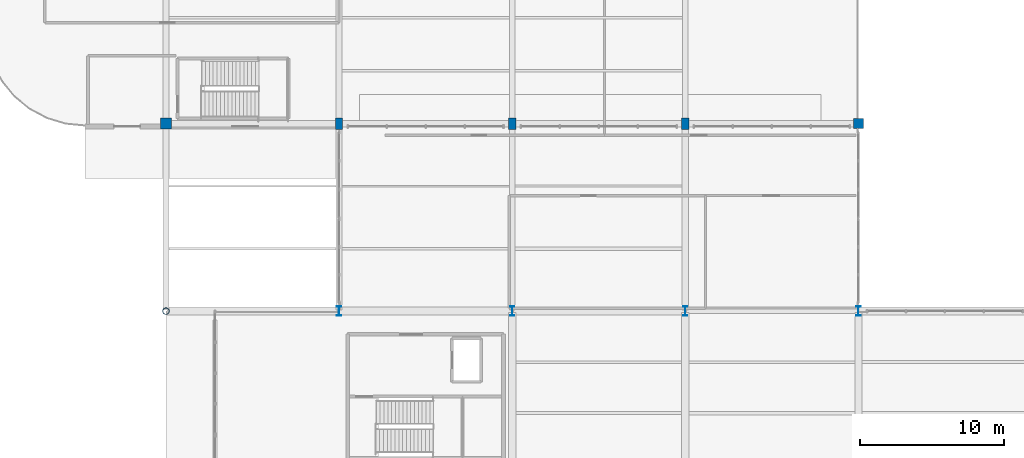
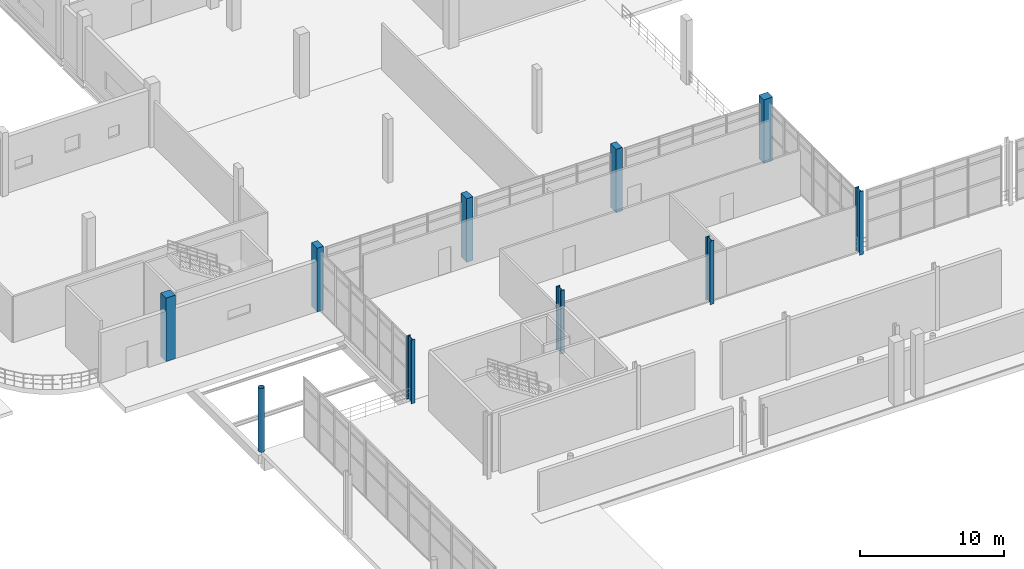
# One storey, part 9 of 85: 10 columns.
"""IFC4 building model written with IfcOpenShell, lengths in metres."""

import ifcopenshell
import ifcopenshell.guid

model = None  # the IFC model being written
_history = None  # IfcOwnerHistory: only IFC2X3 demands one
_inside = {}  # id of a spatial element -> (the spatial element, [elements in it])
_under = {}  # id of a project, library or spatial element -> (it, [spatial elements below it])
_declared = {}  # id of a project -> (the project, [libraries it declares])
_typed = {}  # id of a type object -> (the type object, [elements of that type])
_made_of = {}  # id of a material, layer set ... -> (it, [elements and type objects made of it])


def new_model(schema):
    """Start an empty IFC model of exactly this schema.

    Asked for "IFC4X3", IfcOpenShell would pick the latest addendum, in which some entities
    have other attributes; the version numbers below select the first issue.
    IFC2X3 requires an IfcOwnerHistory on every rooted entity: one is made here for all.
    """
    global model, _history
    if schema == "IFC4X3":
        model = ifcopenshell.file(schema_version=(4, 3, 0, 0))
    else:
        model = ifcopenshell.file(schema=schema)
    _inside.clear()
    _under.clear()
    _declared.clear()
    _typed.clear()
    _made_of.clear()
    _history = None
    if model.schema == "IFC2X3":
        org = make("IfcOrganization", Name="unknown")
        user = make(
            "IfcPersonAndOrganization",
            ThePerson=make("IfcPerson", FamilyName="unknown"),
            TheOrganization=org,
        )
        app = make(
            "IfcApplication",
            ApplicationDeveloper=org,
            Version="unknown",
            ApplicationFullName="unknown",
            ApplicationIdentifier="unknown",
        )
        _history = make(
            "IfcOwnerHistory",
            OwningUser=user,
            OwningApplication=app,
            ChangeAction="ADDED",
            CreationDate=0,
        )
    return model


def make(cls, **values):
    """One entity of the class cls with the attributes given. An attribute that is None is left unset."""
    return model.create_entity(
        cls, **{name: value for name, value in values.items() if value is not None}
    )


def rooted(cls, **values):
    """An entity with a GlobalId (a new one), such as an element, a storey or a relation."""
    return make(cls, GlobalId=ifcopenshell.guid.new(), OwnerHistory=_history, **values)


def si_unit(unit_type, name, prefix=None):
    """IfcSIUnit, for example si_unit("LENGTHUNIT", "METRE", prefix="MILLI")."""
    return make("IfcSIUnit", UnitType=unit_type, Prefix=prefix, Name=name)


def assignment(units):
    """IfcUnitAssignment: the units of a project."""
    return None if units is None else make("IfcUnitAssignment", Units=units)


def point(xyz):
    """IfcCartesianPoint."""
    return None if xyz is None else make("IfcCartesianPoint", Coordinates=xyz)


def direction(xyz):
    """IfcDirection."""
    return None if xyz is None else make("IfcDirection", DirectionRatios=xyz)


def frame(location, z_axis=None, x_axis=None):
    """IfcAxis2Placement3D, a coordinate frame: its origin and axes. An axis left out is left unset."""
    return make(
        "IfcAxis2Placement3D",
        Location=point(location),
        Axis=direction(z_axis),
        RefDirection=direction(x_axis),
    )


def frame_2d(location, x_axis=None):
    """IfcAxis2Placement2D, a coordinate frame in the plane: its origin and x axis."""
    return make(
        "IfcAxis2Placement2D", Location=point(location), RefDirection=direction(x_axis)
    )


def origin():
    """The frame at (0, 0, 0) with its axes left unset."""
    return frame((0.0, 0.0, 0.0))


def origin_2d():
    """The frame at (0, 0) in the plane with its x axis left unset."""
    return frame_2d((0.0, 0.0))


def place(relative_to, where):
    """IfcLocalPlacement: puts the frame where relative to a parent placement (None: the world)."""
    return make(
        "IfcLocalPlacement", PlacementRelTo=relative_to, RelativePlacement=where
    )


def context(
    kind, dimensions, precision=None, world=None, true_north=None, identifier=None
):
    """IfcGeometricRepresentationContext, for example the 3D "Model" context."""
    return make(
        "IfcGeometricRepresentationContext",
        ContextIdentifier=identifier,
        ContextType=kind,
        CoordinateSpaceDimension=dimensions,
        Precision=precision,
        WorldCoordinateSystem=world,
        TrueNorth=true_north,
    )


def subcontext(parent, identifier, kind, view, scale=None):
    """IfcGeometricRepresentationSubContext, for example "Body" below "Model"."""
    return make(
        "IfcGeometricRepresentationSubContext",
        ContextIdentifier=identifier,
        ContextType=kind,
        ParentContext=parent,
        TargetScale=scale,
        TargetView=view,
    )


def project(units=None, contexts=None):
    """IfcProject with its units and contexts."""
    return rooted(
        "IfcProject",
        Name="project",
        RepresentationContexts=contexts,
        UnitsInContext=assignment(units),
    )


def spatial(cls, under=None, at=None, **own):
    """A site, building, storey or space (cls), placed at a placement, below another one or the project."""
    s = rooted(cls, ObjectPlacement=at, **own)
    if under is not None:
        _under.setdefault(under.id(), (under, []))[1].append(s)
    return s


def profile(cls, at=None, kind="AREA", **sizes):
    """A parametric profile (cls). Its sizes go by their IFC names, for example OverallWidth=200.0."""
    return make(cls, ProfileType=kind, Position=at, **sizes)


def rectangle(**sizes):
    """IfcRectangleProfileDef."""
    return profile("IfcRectangleProfileDef", **sizes)


def hollow_circle(**sizes):
    """IfcCircleHollowProfileDef."""
    return profile("IfcCircleHollowProfileDef", **sizes)


def i_section(**sizes):
    """IfcIShapeProfileDef."""
    return profile("IfcIShapeProfileDef", **sizes)


def extrude(swept, where, along, depth):
    """IfcExtrudedAreaSolid: the profile swept, set in the frame where, extruded along a direction by depth."""
    return make(
        "IfcExtrudedAreaSolid",
        SweptArea=swept,
        Position=where,
        ExtrudedDirection=direction(along),
        Depth=depth,
    )


def shape(context_of_items, identifier, shape_type, items):
    """IfcShapeRepresentation: the items that make up one representation, for example the "Body"."""
    return make(
        "IfcShapeRepresentation",
        ContextOfItems=context_of_items,
        RepresentationIdentifier=identifier,
        RepresentationType=shape_type,
        Items=items,
    )


def material(Name=None, Category=None):
    """IfcMaterial."""
    return make("IfcMaterial", Name=Name, Category=Category)


def material_profile(
    of_material, cross_section, Name=None, Category=None, Priority=None
):
    """IfcMaterialProfile: a cross section and its material."""
    return make(
        "IfcMaterialProfile",
        Name=Name,
        Material=of_material,
        Profile=cross_section,
        Priority=Priority,
        Category=Category,
    )


def profile_set(profiles, Name=None, composite=None):
    """IfcMaterialProfileSet."""
    return make(
        "IfcMaterialProfileSet",
        Name=Name,
        MaterialProfiles=profiles,
        CompositeProfile=composite,
    )


def made_of(thing, what):
    """Note that an element or type object is made of a material, layer set ...; save() writes the relation."""
    if what is not None:
        _made_of.setdefault(what.id(), (what, []))[1].append(thing)
    return thing


def type_object(cls, material=None, **own):
    """A type object (cls), such as IfcWallType, which elements share."""
    return made_of(rooted(cls, **own), material)


def element(
    cls,
    number,
    at=None,
    inside=None,
    cuts=None,
    type_object=None,
    material=None,
    context=None,
    identifier="Body",
    shape_type=None,
    held_by="IfcProductDefinitionShape",
    body=None,
    shapes=None,
    **own,
):
    """One element of the class cls, such as IfcWall. Its Tag is "e" and its number.

    at: its placement. inside: the storey or other place that contains it. cuts: it is an
    opening in that element (IfcRelVoidsElement). A single representation is given by context,
    identifier, shape_type and body (its items); several are given by shapes. held_by: the class
    of the entity that holds the representations. save() writes the other relations.
    """
    e = rooted(cls, Tag="e%d" % number, ObjectPlacement=at, **own)
    if body is not None:
        shapes = [shape(context, identifier, shape_type, body)]
    if shapes is not None:
        e.Representation = make(held_by, Representations=shapes)
    if inside is not None:
        _inside.setdefault(inside.id(), (inside, []))[1].append(e)
    if cuts is not None:
        rooted(
            "IfcRelVoidsElement", RelatingBuildingElement=cuts, RelatedOpeningElement=e
        )
    if type_object is not None:
        _typed.setdefault(type_object.id(), (type_object, []))[1].append(e)
    return made_of(e, material)


def aggregate(whole, parts):
    """IfcRelAggregates: a whole, such as a stair, and the parts it consists of."""
    return rooted("IfcRelAggregates", RelatingObject=whole, RelatedObjects=parts)


def save(model, path):
    """Write the relations noted so far, then the file.

    IfcRelAggregates (storeys below a building ...), IfcRelContainedInSpatialStructure (elements
    in a storey), IfcRelDefinesByType, IfcRelAssociatesMaterial and IfcRelDeclares: one each for
    every whole, place, type object, material and project.
    """
    for whole, parts in _under.values():
        aggregate(whole, parts)
    for where, things in _inside.values():
        rooted(
            "IfcRelContainedInSpatialStructure",
            RelatedElements=things,
            RelatingStructure=where,
        )
    for kind, things in _typed.values():
        rooted("IfcRelDefinesByType", RelatedObjects=things, RelatingType=kind)
    for what, things in _made_of.values():
        rooted("IfcRelAssociatesMaterial", RelatedObjects=things, RelatingMaterial=what)
    for by, libraries in _declared.values():
        rooted("IfcRelDeclares", RelatingContext=by, RelatedDefinitions=libraries)
    model.write(path)


model = new_model("IFC4")

# Units and contexts
model_context = context("Model", 3, precision=1e-05, world=origin(), true_north=direction((0.0, 1.0)))
body_context = subcontext(model_context, "Body", "Model", "MODEL_VIEW")
ifc_project = project(units=[si_unit("LENGTHUNIT", "METRE"), si_unit("AREAUNIT", "SQUARE_METRE"), si_unit("VOLUMEUNIT", "CUBIC_METRE"), si_unit("PLANEANGLEUNIT", "RADIAN"), si_unit("MASSUNIT", "GRAM", prefix="KILO"), si_unit("THERMODYNAMICTEMPERATUREUNIT", "KELVIN"), si_unit("POWERUNIT", "WATT")], contexts=[model_context])

# Site, building, storey
site_placement = place(None, origin())
site = spatial("IfcSite", under=ifc_project, at=site_placement, CompositionType="ELEMENT")
building_placement = place(site_placement, origin())
building = spatial("IfcBuilding", under=site, at=building_placement, Name="Solmara Park Aquatics Centre", CompositionType="ELEMENT")
storey_placement = place(building_placement, origin())
storey = spatial("IfcBuildingStorey", under=building, at=storey_placement, Name="L00", CompositionType="ELEMENT", Elevation=0.0)

# Columns
ifc_material_1 = material(Name="Structural Steel S355", Category="steel")
ifc_material_profile_1 = material_profile(ifc_material_1, hollow_circle(Radius=0.228515625, WallThickness=0.01611328125, at=origin_2d()), Name="CHS 457x16")
ifc_profile_set_1 = profile_set([ifc_material_profile_1], Name="Structural Steel S355")
column_type_1 = type_object("IfcColumnType", Name="STR-COL-CHS457", PredefinedType="COLUMN", material=ifc_profile_set_1)
column_1_placement = place(storey_placement, frame((12.60009765625, 72.60009765625, 0.0), z_axis=(0.0, 0.0, 1.0), x_axis=(1.0, 0.0, 0.0)))
element("IfcColumn", 1, at=column_1_placement, inside=storey, type_object=column_type_1, Name="Column L00-0165", PredefinedType="COLUMN", context=body_context, shape_type="SweptSolid", body=[
    extrude(hollow_circle(Radius=0.228515625, WallThickness=0.01611328125, at=origin_2d()), origin(), (0.0, 0.0, 1.0), 5.39990234375),
])
ifc_material_profile_2 = material_profile(ifc_material_1, i_section(OverallWidth=0.300048828125, OverallDepth=0.64990234375, WebThickness=0.01611328125, FlangeThickness=0.031005859375, FilletRadius=0.027099609375, at=origin_2d()), Name="HEB 650")
ifc_profile_set_2 = profile_set([ifc_material_profile_2], Name="Structural Steel S355")
column_type_2 = type_object("IfcColumnType", Name="STR-COL-HEB650", PredefinedType="COLUMN", material=ifc_profile_set_2)
for number, where, z_axis, x_axis, name in (
    (2, (24.60009765625, 72.60009765625, 0.0), (0.0, 0.0, 1.0), (1.0, 0.0, 0.0), "Column L00-0172"),
    (3, (36.60009765625, 72.60009765625, 0.0), (0.0, 0.0, 1.0), (1.0, 0.0, 0.0), "Column L00-0182"),
    (4, (48.60009765625, 72.60009765625, 0.0), (0.0, 0.0, 1.0), (1.0, 0.0, 0.0), "Column L00-0192"),
    (5, (60.60009765625, 72.60009765625, 0.0), (0.0, 0.0, 1.0), (1.0, 0.0, 0.0), "Column L00-0206"),
):
    element("IfcColumn", number, at=place(storey_placement, frame(where, z_axis=z_axis, x_axis=x_axis)), inside=storey, type_object=column_type_2, Name=name, PredefinedType="COLUMN", context=body_context, shape_type="SweptSolid", body=[
        extrude(i_section(OverallWidth=0.300048828125, OverallDepth=0.64990234375, WebThickness=0.01611328125, FlangeThickness=0.031005859375, FilletRadius=0.027099609375, at=origin_2d()), origin(), (0.0, 0.0, 1.0), 5.39990234375),
    ])
ifc_material_2 = material(Name="Concrete C40/50", Category="concrete")
ifc_material_profile_3 = material_profile(ifc_material_2, rectangle(XDim=0.5, YDim=0.800048828125, at=origin_2d()), Name="RC 500x800")
ifc_profile_set_3 = profile_set([ifc_material_profile_3], Name="Concrete C40/50")
column_type_3 = type_object("IfcColumnType", Name="STR-COL-RC500x800", PredefinedType="COLUMN", material=ifc_profile_set_3)
for number, where, z_axis, x_axis, name in (
    (6, (24.60009765625, 85.60009765625, 0.0), (0.0, 0.0, 1.0), (1.0, 0.0, 0.0), "Column L00-0173"),
    (7, (36.60009765625, 85.60009765625, 0.0), (0.0, 0.0, 1.0), (1.0, 0.0, 0.0), "Column L00-0183"),
    (8, (48.60009765625, 85.60009765625, 0.0), (0.0, 0.0, 1.0), (1.0, 0.0, 0.0), "Column L00-0193"),
):
    element("IfcColumn", number, at=place(storey_placement, frame(where, z_axis=z_axis, x_axis=x_axis)), inside=storey, type_object=column_type_3, Name=name, PredefinedType="COLUMN", context=body_context, shape_type="SweptSolid", body=[
        extrude(rectangle(XDim=0.5, YDim=0.800048828125, at=origin_2d()), origin(), (0.0, 0.0, 1.0), 5.39990234375),
    ])
ifc_material_profile_4 = material_profile(ifc_material_2, rectangle(XDim=0.699951171875, YDim=0.699951171875, at=origin_2d()), Name="RC 700x700")
ifc_profile_set_4 = profile_set([ifc_material_profile_4], Name="Concrete C40/50")
column_type_4 = type_object("IfcColumnType", Name="STR-COL-RC700", PredefinedType="COLUMN", material=ifc_profile_set_4)
column_2_placement = place(storey_placement, frame((60.60009765625, 85.60009765625, 0.0), z_axis=(0.0, 0.0, 1.0), x_axis=(1.0, 0.0, 0.0)))
element("IfcColumn", 9, at=column_2_placement, inside=storey, type_object=column_type_4, Name="Column L00-0207", PredefinedType="COLUMN", context=body_context, shape_type="SweptSolid", body=[
    extrude(rectangle(XDim=0.699951171875, YDim=0.699951171875, at=origin_2d()), origin(), (0.0, 0.0, 1.0), 5.39990234375),
])
ifc_material_profile_5 = material_profile(ifc_material_2, rectangle(XDim=0.75, YDim=0.75, at=origin_2d()), Name="RC 750x750")
ifc_profile_set_5 = profile_set([ifc_material_profile_5], Name="Concrete C40/50")
column_type_5 = type_object("IfcColumnType", Name="STR-COL-RC750", PredefinedType="COLUMN", material=ifc_profile_set_5)
column_3_placement = place(storey_placement, frame((12.60009765625, 85.60009765625, 0.0), z_axis=(0.0, 0.0, 1.0), x_axis=(1.0, 0.0, 0.0)))
element("IfcColumn", 10, at=column_3_placement, inside=storey, type_object=column_type_5, Name="Column L00-0166", PredefinedType="COLUMN", context=body_context, shape_type="SweptSolid", body=[
    extrude(rectangle(XDim=0.75, YDim=0.75, at=origin_2d()), origin(), (0.0, 0.0, 1.0), 5.39990234375),
])

save(model, "model.ifc")
